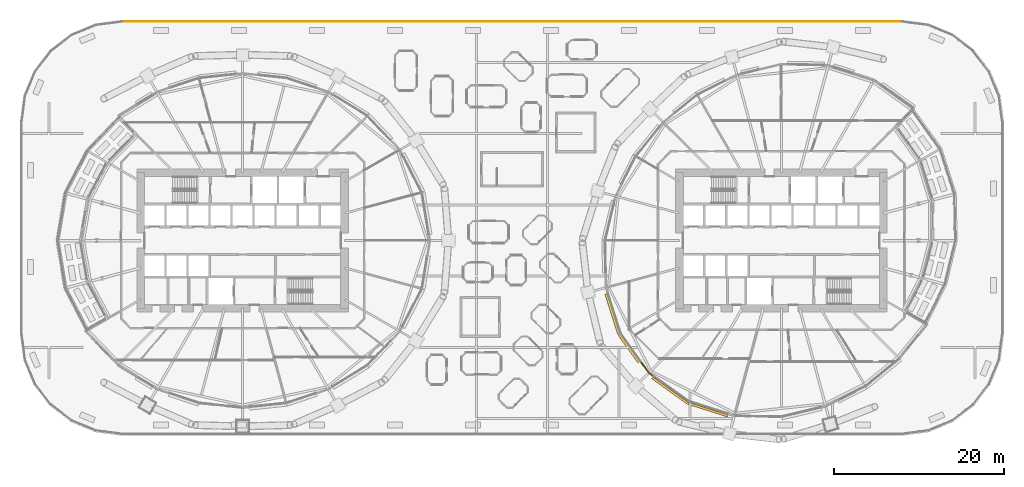
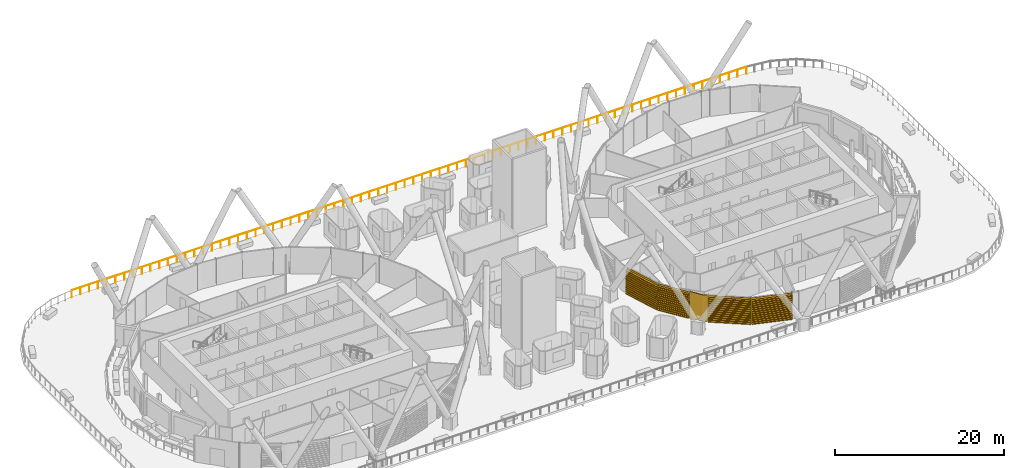
# One storey, part 41 of 47: 5 coverings, 1 railing.
"""IFC4 building model written with IfcOpenShell, lengths in metres."""

import ifcopenshell
import ifcopenshell.guid

model = None  # the IFC model being written
_history = None  # IfcOwnerHistory: only IFC2X3 demands one
_inside = {}  # id of a spatial element -> (the spatial element, [elements in it])
_under = {}  # id of a project, library or spatial element -> (it, [spatial elements below it])
_declared = {}  # id of a project -> (the project, [libraries it declares])
_typed = {}  # id of a type object -> (the type object, [elements of that type])
_made_of = {}  # id of a material, layer set ... -> (it, [elements and type objects made of it])


def new_model(schema):
    """Start an empty IFC model of exactly this schema.

    Asked for "IFC4X3", IfcOpenShell would pick the latest addendum, in which some entities
    have other attributes; the version numbers below select the first issue.
    IFC2X3 requires an IfcOwnerHistory on every rooted entity: one is made here for all.
    """
    global model, _history
    if schema == "IFC4X3":
        model = ifcopenshell.file(schema_version=(4, 3, 0, 0))
    else:
        model = ifcopenshell.file(schema=schema)
    _inside.clear()
    _under.clear()
    _declared.clear()
    _typed.clear()
    _made_of.clear()
    _history = None
    if model.schema == "IFC2X3":
        org = make("IfcOrganization", Name="unknown")
        user = make(
            "IfcPersonAndOrganization",
            ThePerson=make("IfcPerson", FamilyName="unknown"),
            TheOrganization=org,
        )
        app = make(
            "IfcApplication",
            ApplicationDeveloper=org,
            Version="unknown",
            ApplicationFullName="unknown",
            ApplicationIdentifier="unknown",
        )
        _history = make(
            "IfcOwnerHistory",
            OwningUser=user,
            OwningApplication=app,
            ChangeAction="ADDED",
            CreationDate=0,
        )
    return model


def make(cls, **values):
    """One entity of the class cls with the attributes given. An attribute that is None is left unset."""
    return model.create_entity(
        cls, **{name: value for name, value in values.items() if value is not None}
    )


def rooted(cls, **values):
    """An entity with a GlobalId (a new one), such as an element, a storey or a relation."""
    return make(cls, GlobalId=ifcopenshell.guid.new(), OwnerHistory=_history, **values)


def si_unit(unit_type, name, prefix=None):
    """IfcSIUnit, for example si_unit("LENGTHUNIT", "METRE", prefix="MILLI")."""
    return make("IfcSIUnit", UnitType=unit_type, Prefix=prefix, Name=name)


def assignment(units):
    """IfcUnitAssignment: the units of a project."""
    return None if units is None else make("IfcUnitAssignment", Units=units)


def point(xyz):
    """IfcCartesianPoint."""
    return None if xyz is None else make("IfcCartesianPoint", Coordinates=xyz)


def direction(xyz):
    """IfcDirection."""
    return None if xyz is None else make("IfcDirection", DirectionRatios=xyz)


def frame(location, z_axis=None, x_axis=None):
    """IfcAxis2Placement3D, a coordinate frame: its origin and axes. An axis left out is left unset."""
    return make(
        "IfcAxis2Placement3D",
        Location=point(location),
        Axis=direction(z_axis),
        RefDirection=direction(x_axis),
    )


def frame_2d(location, x_axis=None):
    """IfcAxis2Placement2D, a coordinate frame in the plane: its origin and x axis."""
    return make(
        "IfcAxis2Placement2D", Location=point(location), RefDirection=direction(x_axis)
    )


def origin():
    """The frame at (0, 0, 0) with its axes left unset."""
    return frame((0.0, 0.0, 0.0))


def origin_2d():
    """The frame at (0, 0) in the plane with its x axis left unset."""
    return frame_2d((0.0, 0.0))


def place(relative_to, where):
    """IfcLocalPlacement: puts the frame where relative to a parent placement (None: the world)."""
    return make(
        "IfcLocalPlacement", PlacementRelTo=relative_to, RelativePlacement=where
    )


def context(
    kind, dimensions, precision=None, world=None, true_north=None, identifier=None
):
    """IfcGeometricRepresentationContext, for example the 3D "Model" context."""
    return make(
        "IfcGeometricRepresentationContext",
        ContextIdentifier=identifier,
        ContextType=kind,
        CoordinateSpaceDimension=dimensions,
        Precision=precision,
        WorldCoordinateSystem=world,
        TrueNorth=true_north,
    )


def subcontext(parent, identifier, kind, view, scale=None):
    """IfcGeometricRepresentationSubContext, for example "Body" below "Model"."""
    return make(
        "IfcGeometricRepresentationSubContext",
        ContextIdentifier=identifier,
        ContextType=kind,
        ParentContext=parent,
        TargetScale=scale,
        TargetView=view,
    )


def project(units=None, contexts=None):
    """IfcProject with its units and contexts."""
    return rooted(
        "IfcProject",
        Name="project",
        RepresentationContexts=contexts,
        UnitsInContext=assignment(units),
    )


def spatial(cls, under=None, at=None, **own):
    """A site, building, storey or space (cls), placed at a placement, below another one or the project."""
    s = rooted(cls, ObjectPlacement=at, **own)
    if under is not None:
        _under.setdefault(under.id(), (under, []))[1].append(s)
    return s


def polyline(points):
    """IfcPolyline through the points."""
    return make("IfcPolyline", Points=[point(p) for p in points])


def profile(cls, at=None, kind="AREA", **sizes):
    """A parametric profile (cls). Its sizes go by their IFC names, for example OverallWidth=200.0."""
    return make(cls, ProfileType=kind, Position=at, **sizes)


def circle(**sizes):
    """IfcCircleProfileDef."""
    return profile("IfcCircleProfileDef", **sizes)


def outline(outer, holes=None, kind="AREA"):
    """IfcArbitraryClosedProfileDef: a profile drawn as a closed curve; with holes, ...WithVoids."""
    if holes is None:
        return make("IfcArbitraryClosedProfileDef", ProfileType=kind, OuterCurve=outer)
    return make(
        "IfcArbitraryProfileDefWithVoids",
        ProfileType=kind,
        OuterCurve=outer,
        InnerCurves=holes,
    )


def extrude(swept, where, along, depth):
    """IfcExtrudedAreaSolid: the profile swept, set in the frame where, extruded along a direction by depth."""
    return make(
        "IfcExtrudedAreaSolid",
        SweptArea=swept,
        Position=where,
        ExtrudedDirection=direction(along),
        Depth=depth,
    )


def shape(context_of_items, identifier, shape_type, items):
    """IfcShapeRepresentation: the items that make up one representation, for example the "Body"."""
    return make(
        "IfcShapeRepresentation",
        ContextOfItems=context_of_items,
        RepresentationIdentifier=identifier,
        RepresentationType=shape_type,
        Items=items,
    )


def material(Name=None, Category=None):
    """IfcMaterial."""
    return make("IfcMaterial", Name=Name, Category=Category)


def layer(
    of_material, thickness, ventilated=None, Name=None, Category=None, Priority=None
):
    """IfcMaterialLayer: one layer of a wall or slab, of a material (None: an air gap)."""
    return make(
        "IfcMaterialLayer",
        Material=of_material,
        LayerThickness=thickness,
        IsVentilated=ventilated,
        Name=Name,
        Category=Category,
        Priority=Priority,
    )


def layer_set(layers, Name=None):
    """IfcMaterialLayerSet."""
    return make("IfcMaterialLayerSet", MaterialLayers=layers, LayerSetName=Name)


def material_profile(
    of_material, cross_section, Name=None, Category=None, Priority=None
):
    """IfcMaterialProfile: a cross section and its material."""
    return make(
        "IfcMaterialProfile",
        Name=Name,
        Material=of_material,
        Profile=cross_section,
        Priority=Priority,
        Category=Category,
    )


def profile_set(profiles, Name=None, composite=None):
    """IfcMaterialProfileSet."""
    return make(
        "IfcMaterialProfileSet",
        Name=Name,
        MaterialProfiles=profiles,
        CompositeProfile=composite,
    )


def made_of(thing, what):
    """Note that an element or type object is made of a material, layer set ...; save() writes the relation."""
    if what is not None:
        _made_of.setdefault(what.id(), (what, []))[1].append(thing)
    return thing


def type_object(cls, material=None, **own):
    """A type object (cls), such as IfcWallType, which elements share."""
    return made_of(rooted(cls, **own), material)


def element(
    cls,
    number,
    at=None,
    inside=None,
    cuts=None,
    type_object=None,
    material=None,
    context=None,
    identifier="Body",
    shape_type=None,
    held_by="IfcProductDefinitionShape",
    body=None,
    shapes=None,
    **own,
):
    """One element of the class cls, such as IfcWall. Its Tag is "e" and its number.

    at: its placement. inside: the storey or other place that contains it. cuts: it is an
    opening in that element (IfcRelVoidsElement). A single representation is given by context,
    identifier, shape_type and body (its items); several are given by shapes. held_by: the class
    of the entity that holds the representations. save() writes the other relations.
    """
    e = rooted(cls, Tag="e%d" % number, ObjectPlacement=at, **own)
    if body is not None:
        shapes = [shape(context, identifier, shape_type, body)]
    if shapes is not None:
        e.Representation = make(held_by, Representations=shapes)
    if inside is not None:
        _inside.setdefault(inside.id(), (inside, []))[1].append(e)
    if cuts is not None:
        rooted(
            "IfcRelVoidsElement", RelatingBuildingElement=cuts, RelatedOpeningElement=e
        )
    if type_object is not None:
        _typed.setdefault(type_object.id(), (type_object, []))[1].append(e)
    return made_of(e, material)


def aggregate(whole, parts):
    """IfcRelAggregates: a whole, such as a stair, and the parts it consists of."""
    return rooted("IfcRelAggregates", RelatingObject=whole, RelatedObjects=parts)


def save(model, path):
    """Write the relations noted so far, then the file.

    IfcRelAggregates (storeys below a building ...), IfcRelContainedInSpatialStructure (elements
    in a storey), IfcRelDefinesByType, IfcRelAssociatesMaterial and IfcRelDeclares: one each for
    every whole, place, type object, material and project.
    """
    for whole, parts in _under.values():
        aggregate(whole, parts)
    for where, things in _inside.values():
        rooted(
            "IfcRelContainedInSpatialStructure",
            RelatedElements=things,
            RelatingStructure=where,
        )
    for kind, things in _typed.values():
        rooted("IfcRelDefinesByType", RelatedObjects=things, RelatingType=kind)
    for what, things in _made_of.values():
        rooted("IfcRelAssociatesMaterial", RelatedObjects=things, RelatingMaterial=what)
    for by, libraries in _declared.values():
        rooted("IfcRelDeclares", RelatingContext=by, RelatedDefinitions=libraries)
    model.write(path)


model = new_model("IFC4")

# Units and contexts
model_context = context("Model", 3, precision=1e-05, world=origin(), true_north=direction((0.0, 1.0)))
body_context = subcontext(model_context, "Body", "Model", "MODEL_VIEW")
ifc_project = project(units=[si_unit("LENGTHUNIT", "METRE"), si_unit("AREAUNIT", "SQUARE_METRE"), si_unit("VOLUMEUNIT", "CUBIC_METRE"), si_unit("PLANEANGLEUNIT", "RADIAN"), si_unit("MASSUNIT", "GRAM", prefix="KILO")], contexts=[model_context])

# Site, building, storey
site_placement = place(None, origin())
site = spatial("IfcSite", under=ifc_project, at=site_placement, CompositionType="ELEMENT")
building_placement = place(site_placement, origin())
building = spatial("IfcBuilding", under=site, at=building_placement, Name="Rimbun Link Towers", CompositionType="ELEMENT")
storey_placement = place(building_placement, frame((0.0, 0.0, 30.0)))
storey = spatial("IfcBuildingStorey", under=building, at=storey_placement, Name="L06", CompositionType="ELEMENT", Elevation=30.0)

# Railing
ifc_material_1 = material(Name="Toughened laminated glass, stainless steel grade 316 posts and cap rail", Category="steel")
railing_type = type_object("IfcRailingType", Name="GUARD glass balustrade with stainless cap rail", PredefinedType="BALUSTRADE", material=ifc_material_1)
railing_placement = place(storey_placement, frame((45.98681640625, 25.800048828125, 0.0)))
element("IfcRailing", 1, at=railing_placement, inside=storey, type_object=railing_type, Name="GUARD glass balustrade", PredefinedType="BALUSTRADE", context=body_context, shape_type="SweptSolid", body=[
    extrude(circle(Radius=0.02392578125, at=origin_2d()), frame((0.0, 0.0, 1.076171875), z_axis=(-1.0, 0.0, 0.0), x_axis=(0.0, -1.0, 0.0)), (0.0, 0.0, 1.0), 91.9736328125),
    extrude(circle(Radius=0.02099609375, at=origin_2d()), origin(), (0.0, 0.0, 1.0), 1.052001953125),
    extrude(circle(Radius=0.02099609375, at=origin_2d()), frame((-1.194580078125, 0.0, 0.0)), (0.0, 0.0, 1.0), 1.052001953125),
    extrude(circle(Radius=0.02099609375, at=origin_2d()), frame((-2.388916015625, 0.0, 0.0)), (0.0, 0.0, 1.0), 1.052001953125),
    extrude(circle(Radius=0.02099609375, at=origin_2d()), frame((-3.58349609375, 0.0, 0.0)), (0.0, 0.0, 1.0), 1.052001953125),
    extrude(circle(Radius=0.02099609375, at=origin_2d()), frame((-4.77783203125, 0.0, 0.0)), (0.0, 0.0, 1.0), 1.052001953125),
    extrude(circle(Radius=0.02099609375, at=origin_2d()), frame((-5.972412109375, 0.0, 0.0)), (0.0, 0.0, 1.0), 1.052001953125),
    extrude(circle(Radius=0.02099609375, at=origin_2d()), frame((-7.166748046875, 0.0, 0.0)), (0.0, 0.0, 1.0), 1.052001953125),
    extrude(circle(Radius=0.02099609375, at=origin_2d()), frame((-8.361328125, 0.0, 0.0)), (0.0, 0.0, 1.0), 1.052001953125),
    extrude(circle(Radius=0.02099609375, at=origin_2d()), frame((-9.5556640625, 0.0, 0.0)), (0.0, 0.0, 1.0), 1.052001953125),
    extrude(circle(Radius=0.02099609375, at=origin_2d()), frame((-10.750244140625, 0.0, 0.0)), (0.0, 0.0, 1.0), 1.052001953125),
    extrude(circle(Radius=0.02099609375, at=origin_2d()), frame((-11.944580078125, 0.0, 0.0)), (0.0, 0.0, 1.0), 1.052001953125),
    extrude(circle(Radius=0.02099609375, at=origin_2d()), frame((-13.13916015625, 0.0, 0.0)), (0.0, 0.0, 1.0), 1.052001953125),
    extrude(circle(Radius=0.02099609375, at=origin_2d()), frame((-14.33349609375, 0.0, 0.0)), (0.0, 0.0, 1.0), 1.052001953125),
    extrude(circle(Radius=0.02099609375, at=origin_2d()), frame((-15.528076171875, 0.0, 0.0)), (0.0, 0.0, 1.0), 1.052001953125),
    extrude(circle(Radius=0.02099609375, at=origin_2d()), frame((-16.722412109375, 0.0, 0.0)), (0.0, 0.0, 1.0), 1.052001953125),
    extrude(circle(Radius=0.02099609375, at=origin_2d()), frame((-17.9169921875, 0.0, 0.0)), (0.0, 0.0, 1.0), 1.052001953125),
    extrude(circle(Radius=0.02099609375, at=origin_2d()), frame((-19.111328125, 0.0, 0.0)), (0.0, 0.0, 1.0), 1.052001953125),
    extrude(circle(Radius=0.02099609375, at=origin_2d()), frame((-20.305908203125, 0.0, 0.0)), (0.0, 0.0, 1.0), 1.052001953125),
    extrude(circle(Radius=0.02099609375, at=origin_2d()), frame((-21.500244140625, 0.0, 0.0)), (0.0, 0.0, 1.0), 1.052001953125),
    extrude(circle(Radius=0.02099609375, at=origin_2d()), frame((-22.69482421875, 0.0, 0.0)), (0.0, 0.0, 1.0), 1.052001953125),
    extrude(circle(Radius=0.02099609375, at=origin_2d()), frame((-23.88916015625, 0.0, 0.0)), (0.0, 0.0, 1.0), 1.052001953125),
    extrude(circle(Radius=0.02099609375, at=origin_2d()), frame((-25.083740234375, 0.0, 0.0)), (0.0, 0.0, 1.0), 1.052001953125),
    extrude(circle(Radius=0.02099609375, at=origin_2d()), frame((-26.278076171875, 0.0, 0.0)), (0.0, 0.0, 1.0), 1.052001953125),
    extrude(circle(Radius=0.02099609375, at=origin_2d()), frame((-27.47265625, 0.0, 0.0)), (0.0, 0.0, 1.0), 1.052001953125),
    extrude(circle(Radius=0.02099609375, at=origin_2d()), frame((-28.6669921875, 0.0, 0.0)), (0.0, 0.0, 1.0), 1.052001953125),
    extrude(circle(Radius=0.02099609375, at=origin_2d()), frame((-29.861572265625, 0.0, 0.0)), (0.0, 0.0, 1.0), 1.052001953125),
    extrude(circle(Radius=0.02099609375, at=origin_2d()), frame((-31.05615234375, 0.0, 0.0)), (0.0, 0.0, 1.0), 1.052001953125),
    extrude(circle(Radius=0.02099609375, at=origin_2d()), frame((-32.25048828125, 0.0, 0.0)), (0.0, 0.0, 1.0), 1.052001953125),
    extrude(circle(Radius=0.02099609375, at=origin_2d()), frame((-33.445068359375, 0.0, 0.0)), (0.0, 0.0, 1.0), 1.052001953125),
    extrude(circle(Radius=0.02099609375, at=origin_2d()), frame((-34.639404296875, 0.0, 0.0)), (0.0, 0.0, 1.0), 1.052001953125),
    extrude(circle(Radius=0.02099609375, at=origin_2d()), frame((-35.833984375, 0.0, 0.0)), (0.0, 0.0, 1.0), 1.052001953125),
    extrude(circle(Radius=0.02099609375, at=origin_2d()), frame((-37.0283203125, 0.0, 0.0)), (0.0, 0.0, 1.0), 1.052001953125),
    extrude(circle(Radius=0.02099609375, at=origin_2d()), frame((-38.222900390625, 0.0, 0.0)), (0.0, 0.0, 1.0), 1.052001953125),
    extrude(circle(Radius=0.02099609375, at=origin_2d()), frame((-39.417236328125, 0.0, 0.0)), (0.0, 0.0, 1.0), 1.052001953125),
    extrude(circle(Radius=0.02099609375, at=origin_2d()), frame((-40.61181640625, 0.0, 0.0)), (0.0, 0.0, 1.0), 1.052001953125),
    extrude(circle(Radius=0.02099609375, at=origin_2d()), frame((-41.80615234375, 0.0, 0.0)), (0.0, 0.0, 1.0), 1.052001953125),
    extrude(circle(Radius=0.02099609375, at=origin_2d()), frame((-43.000732421875, 0.0, 0.0)), (0.0, 0.0, 1.0), 1.052001953125),
    extrude(circle(Radius=0.02099609375, at=origin_2d()), frame((-44.195068359375, 0.0, 0.0)), (0.0, 0.0, 1.0), 1.052001953125),
    extrude(circle(Radius=0.02099609375, at=origin_2d()), frame((-45.3896484375, 0.0, 0.0)), (0.0, 0.0, 1.0), 1.052001953125),
    extrude(circle(Radius=0.02099609375, at=origin_2d()), frame((-46.583984375, 0.0, 0.0)), (0.0, 0.0, 1.0), 1.052001953125),
    extrude(circle(Radius=0.02099609375, at=origin_2d()), frame((-47.778564453125, 0.0, 0.0)), (0.0, 0.0, 1.0), 1.052001953125),
    extrude(circle(Radius=0.02099609375, at=origin_2d()), frame((-48.972900390625, 0.0, 0.0)), (0.0, 0.0, 1.0), 1.052001953125),
    extrude(circle(Radius=0.02099609375, at=origin_2d()), frame((-50.16748046875, 0.0, 0.0)), (0.0, 0.0, 1.0), 1.052001953125),
    extrude(circle(Radius=0.02099609375, at=origin_2d()), frame((-51.36181640625, 0.0, 0.0)), (0.0, 0.0, 1.0), 1.052001953125),
    extrude(circle(Radius=0.02099609375, at=origin_2d()), frame((-52.556396484375, 0.0, 0.0)), (0.0, 0.0, 1.0), 1.052001953125),
    extrude(circle(Radius=0.02099609375, at=origin_2d()), frame((-53.750732421875, 0.0, 0.0)), (0.0, 0.0, 1.0), 1.052001953125),
    extrude(circle(Radius=0.02099609375, at=origin_2d()), frame((-54.9453125, 0.0, 0.0)), (0.0, 0.0, 1.0), 1.052001953125),
    extrude(circle(Radius=0.02099609375, at=origin_2d()), frame((-56.1396484375, 0.0, 0.0)), (0.0, 0.0, 1.0), 1.052001953125),
    extrude(circle(Radius=0.02099609375, at=origin_2d()), frame((-57.334228515625, 0.0, 0.0)), (0.0, 0.0, 1.0), 1.052001953125),
    extrude(circle(Radius=0.02099609375, at=origin_2d()), frame((-58.528564453125, 0.0, 0.0)), (0.0, 0.0, 1.0), 1.052001953125),
    extrude(circle(Radius=0.02099609375, at=origin_2d()), frame((-59.72314453125, 0.0, 0.0)), (0.0, 0.0, 1.0), 1.052001953125),
    extrude(circle(Radius=0.02099609375, at=origin_2d()), frame((-60.91748046875, 0.0, 0.0)), (0.0, 0.0, 1.0), 1.052001953125),
    extrude(circle(Radius=0.02099609375, at=origin_2d()), frame((-62.112060546875, 0.0, 0.0)), (0.0, 0.0, 1.0), 1.052001953125),
    extrude(circle(Radius=0.02099609375, at=origin_2d()), frame((-63.306640625, 0.0, 0.0)), (0.0, 0.0, 1.0), 1.052001953125),
    extrude(circle(Radius=0.02099609375, at=origin_2d()), frame((-64.5009765625, 0.0, 0.0)), (0.0, 0.0, 1.0), 1.052001953125),
    extrude(circle(Radius=0.02099609375, at=origin_2d()), frame((-65.695556640625, 0.0, 0.0)), (0.0, 0.0, 1.0), 1.052001953125),
    extrude(circle(Radius=0.02099609375, at=origin_2d()), frame((-66.889892578125, 0.0, 0.0)), (0.0, 0.0, 1.0), 1.052001953125),
    extrude(circle(Radius=0.02099609375, at=origin_2d()), frame((-68.08447265625, 0.0, 0.0)), (0.0, 0.0, 1.0), 1.052001953125),
    extrude(circle(Radius=0.02099609375, at=origin_2d()), frame((-69.27880859375, 0.0, 0.0)), (0.0, 0.0, 1.0), 1.052001953125),
    extrude(circle(Radius=0.02099609375, at=origin_2d()), frame((-70.473388671875, 0.0, 0.0)), (0.0, 0.0, 1.0), 1.052001953125),
    extrude(circle(Radius=0.02099609375, at=origin_2d()), frame((-71.667724609375, 0.0, 0.0)), (0.0, 0.0, 1.0), 1.052001953125),
    extrude(circle(Radius=0.02099609375, at=origin_2d()), frame((-72.8623046875, 0.0, 0.0)), (0.0, 0.0, 1.0), 1.052001953125),
    extrude(circle(Radius=0.02099609375, at=origin_2d()), frame((-74.056640625, 0.0, 0.0)), (0.0, 0.0, 1.0), 1.052001953125),
    extrude(circle(Radius=0.02099609375, at=origin_2d()), frame((-75.251220703125, 0.0, 0.0)), (0.0, 0.0, 1.0), 1.052001953125),
    extrude(circle(Radius=0.02099609375, at=origin_2d()), frame((-76.445556640625, 0.0, 0.0)), (0.0, 0.0, 1.0), 1.052001953125),
    extrude(circle(Radius=0.02099609375, at=origin_2d()), frame((-77.64013671875, 0.0, 0.0)), (0.0, 0.0, 1.0), 1.052001953125),
    extrude(circle(Radius=0.02099609375, at=origin_2d()), frame((-78.83447265625, 0.0, 0.0)), (0.0, 0.0, 1.0), 1.052001953125),
    extrude(circle(Radius=0.02099609375, at=origin_2d()), frame((-80.029052734375, 0.0, 0.0)), (0.0, 0.0, 1.0), 1.052001953125),
    extrude(circle(Radius=0.02099609375, at=origin_2d()), frame((-81.223388671875, 0.0, 0.0)), (0.0, 0.0, 1.0), 1.052001953125),
    extrude(circle(Radius=0.02099609375, at=origin_2d()), frame((-82.41796875, 0.0, 0.0)), (0.0, 0.0, 1.0), 1.052001953125),
    extrude(circle(Radius=0.02099609375, at=origin_2d()), frame((-83.6123046875, 0.0, 0.0)), (0.0, 0.0, 1.0), 1.052001953125),
    extrude(circle(Radius=0.02099609375, at=origin_2d()), frame((-84.806884765625, 0.0, 0.0)), (0.0, 0.0, 1.0), 1.052001953125),
    extrude(circle(Radius=0.02099609375, at=origin_2d()), frame((-86.001220703125, 0.0, 0.0)), (0.0, 0.0, 1.0), 1.052001953125),
    extrude(circle(Radius=0.02099609375, at=origin_2d()), frame((-87.19580078125, 0.0, 0.0)), (0.0, 0.0, 1.0), 1.052001953125),
    extrude(circle(Radius=0.02099609375, at=origin_2d()), frame((-88.39013671875, 0.0, 0.0)), (0.0, 0.0, 1.0), 1.052001953125),
    extrude(circle(Radius=0.02099609375, at=origin_2d()), frame((-89.584716796875, 0.0, 0.0)), (0.0, 0.0, 1.0), 1.052001953125),
    extrude(circle(Radius=0.02099609375, at=origin_2d()), frame((-90.779052734375, 0.0, 0.0)), (0.0, 0.0, 1.0), 1.052001953125),
    extrude(circle(Radius=0.02099609375, at=origin_2d()), frame((-91.9736328125, 0.0, 0.0)), (0.0, 0.0, 1.0), 1.052001953125),
])

# Coverings
ifc_material_2 = material(Name="Terracotta", Category="masonry")
ifc_layer = layer(ifc_material_2, 0.1201171875)
ifc_layer_set = layer_set([ifc_layer], Name="LINK PIER terracotta cladding 120")
covering_type_1 = type_object("IfcCoveringType", Name="LINK PIER terracotta cladding 120", PredefinedType="CLADDING", material=ifc_layer_set)
covering_1_placement = place(storey_placement, origin())
element("IfcCovering", 2, at=covering_1_placement, inside=storey, type_object=covering_type_1, Name="LINK PIER cladding", PredefinedType="CLADDING", context=body_context, shape_type="SweptSolid", body=[
    extrude(outline(polyline([(16.6884765625, -15.9267578125), (16.184814453125, -15.565185546875), (15.211181640625, -14.20849609375), (15.113525390625, -14.2783203125), (16.0986328125, -15.6513671875), (16.618408203125, -16.024169921875), (16.6884765625, -15.9267578125)])), origin(), (0.0, 0.0, 1.0), 3.800048828125),
])
ifc_material_3 = material(Name="Terracotta", Category="masonry")
ifc_material_profile = material_profile(ifc_material_3, outline(polyline([(0.123046875, 0.0), (0.1630859375, 0.0), (0.1630859375, 0.10009765625), (0.423095703125, 0.10009765625), (0.423095703125, 0.219970703125), (0.1630859375, 0.219970703125), (0.1630859375, 0.39990234375), (0.423095703125, 0.39990234375), (0.423095703125, 0.52001953125), (0.1630859375, 0.52001953125), (0.1630859375, 0.699951171875), (0.423095703125, 0.699951171875), (0.423095703125, 0.820068359375), (0.1630859375, 0.820068359375), (0.1630859375, 1.0), (0.423095703125, 1.0), (0.423095703125, 1.1201171875), (0.1630859375, 1.1201171875), (0.1630859375, 1.300048828125), (0.423095703125, 1.300048828125), (0.423095703125, 1.419921875), (0.1630859375, 1.419921875), (0.1630859375, 1.60009765625), (0.423095703125, 1.60009765625), (0.423095703125, 1.719970703125), (0.1630859375, 1.719970703125), (0.1630859375, 1.89990234375), (0.423095703125, 1.89990234375), (0.423095703125, 2.02001953125), (0.1630859375, 2.02001953125), (0.1630859375, 2.199951171875), (0.423095703125, 2.199951171875), (0.423095703125, 2.320068359375), (0.1630859375, 2.320068359375), (0.1630859375, 2.5), (0.423095703125, 2.5), (0.423095703125, 2.6201171875), (0.1630859375, 2.6201171875), (0.1630859375, 2.800048828125), (0.423095703125, 2.800048828125), (0.423095703125, 2.919921875), (0.1630859375, 2.919921875), (0.1630859375, 3.10009765625), (0.423095703125, 3.10009765625), (0.423095703125, 3.219970703125), (0.1630859375, 3.219970703125), (0.1630859375, 3.39990234375), (0.423095703125, 3.39990234375), (0.423095703125, 3.52001953125), (0.1630859375, 3.52001953125), (0.1630859375, 3.800048828125), (0.123046875, 3.800048828125), (0.123046875, 0.0)])), Name="BAGUETTE 120X300")
ifc_profile_set = profile_set([ifc_material_profile], Name="Terracotta")
covering_type_2 = type_object("IfcCoveringType", Name="TERRACOTTA BAGUETTE 120X300 H3800", PredefinedType="CLADDING", material=ifc_profile_set)
covering_2_placement = place(storey_placement, frame((12.846923828125, -10.913818359375, 0.0), z_axis=(-0.303087744641, 0.952962653543, 0.0), x_axis=(-0.952962653543, -0.303087744641, 0.0)))
element("IfcCovering", 3, at=covering_2_placement, inside=storey, type_object=covering_type_2, Name="TERRACOTTA BAGUETTE", PredefinedType="CLADDING", context=body_context, shape_type="SweptSolid", body=[
    extrude(outline(polyline([(0.123046875, 0.0), (0.1630859375, 0.0), (0.1630859375, 0.10009765625), (0.423095703125, 0.10009765625), (0.423095703125, 0.219970703125), (0.1630859375, 0.219970703125), (0.1630859375, 0.39990234375), (0.423095703125, 0.39990234375), (0.423095703125, 0.52001953125), (0.1630859375, 0.52001953125), (0.1630859375, 0.699951171875), (0.423095703125, 0.699951171875), (0.423095703125, 0.820068359375), (0.1630859375, 0.820068359375), (0.1630859375, 1.0), (0.423095703125, 1.0), (0.423095703125, 1.1201171875), (0.1630859375, 1.1201171875), (0.1630859375, 1.300048828125), (0.423095703125, 1.300048828125), (0.423095703125, 1.419921875), (0.1630859375, 1.419921875), (0.1630859375, 1.60009765625), (0.423095703125, 1.60009765625), (0.423095703125, 1.719970703125), (0.1630859375, 1.719970703125), (0.1630859375, 1.89990234375), (0.423095703125, 1.89990234375), (0.423095703125, 2.02001953125), (0.1630859375, 2.02001953125), (0.1630859375, 2.199951171875), (0.423095703125, 2.199951171875), (0.423095703125, 2.320068359375), (0.1630859375, 2.320068359375), (0.1630859375, 2.5), (0.423095703125, 2.5), (0.423095703125, 2.6201171875), (0.1630859375, 2.6201171875), (0.1630859375, 2.800048828125), (0.423095703125, 2.800048828125), (0.423095703125, 2.919921875), (0.1630859375, 2.919921875), (0.1630859375, 3.10009765625), (0.423095703125, 3.10009765625), (0.423095703125, 3.219970703125), (0.1630859375, 3.219970703125), (0.1630859375, 3.39990234375), (0.423095703125, 3.39990234375), (0.423095703125, 3.52001953125), (0.1630859375, 3.52001953125), (0.1630859375, 3.800048828125), (0.123046875, 3.800048828125), (0.123046875, 0.0)])), origin(), (0.0, 0.0, 1.0), 4.95556640625),
])
covering_3_placement = place(storey_placement, frame((15.193603515625, -14.18408203125, 0.0), z_axis=(-0.58300972478, 0.812465175138, 0.0), x_axis=(-0.812465175138, -0.58300972478, 0.0)))
element("IfcCovering", 4, at=covering_3_placement, inside=storey, type_object=covering_type_2, Name="TERRACOTTA BAGUETTE", PredefinedType="CLADDING", context=body_context, shape_type="SweptSolid", body=[
    extrude(outline(polyline([(0.123046875, 0.0), (0.1630859375, 0.0), (0.1630859375, 0.10009765625), (0.423095703125, 0.10009765625), (0.423095703125, 0.219970703125), (0.1630859375, 0.219970703125), (0.1630859375, 0.39990234375), (0.423095703125, 0.39990234375), (0.423095703125, 0.52001953125), (0.1630859375, 0.52001953125), (0.1630859375, 0.699951171875), (0.423095703125, 0.699951171875), (0.423095703125, 0.820068359375), (0.1630859375, 0.820068359375), (0.1630859375, 1.0), (0.423095703125, 1.0), (0.423095703125, 1.1201171875), (0.1630859375, 1.1201171875), (0.1630859375, 1.300048828125), (0.423095703125, 1.300048828125), (0.423095703125, 1.419921875), (0.1630859375, 1.419921875), (0.1630859375, 1.60009765625), (0.423095703125, 1.60009765625), (0.423095703125, 1.719970703125), (0.1630859375, 1.719970703125), (0.1630859375, 1.89990234375), (0.423095703125, 1.89990234375), (0.423095703125, 2.02001953125), (0.1630859375, 2.02001953125), (0.1630859375, 2.199951171875), (0.423095703125, 2.199951171875), (0.423095703125, 2.320068359375), (0.1630859375, 2.320068359375), (0.1630859375, 2.5), (0.423095703125, 2.5), (0.423095703125, 2.6201171875), (0.1630859375, 2.6201171875), (0.1630859375, 2.800048828125), (0.423095703125, 2.800048828125), (0.423095703125, 2.919921875), (0.1630859375, 2.919921875), (0.1630859375, 3.10009765625), (0.423095703125, 3.10009765625), (0.423095703125, 3.219970703125), (0.1630859375, 3.219970703125), (0.1630859375, 3.39990234375), (0.423095703125, 3.39990234375), (0.423095703125, 3.52001953125), (0.1630859375, 3.52001953125), (0.1630859375, 3.800048828125), (0.123046875, 3.800048828125), (0.123046875, 0.0)])), origin(), (0.0, 0.0, 1.0), 4.025146484375),
])
covering_4_placement = place(storey_placement, frame((20.836181640625, -18.903076171875, 0.0), z_axis=(-0.812470385714, 0.583002463406, 0.0), x_axis=(-0.583002463406, -0.812470385714, 0.0)))
element("IfcCovering", 5, at=covering_4_placement, inside=storey, type_object=covering_type_2, Name="TERRACOTTA BAGUETTE", PredefinedType="CLADDING", context=body_context, shape_type="SweptSolid", body=[
    extrude(outline(polyline([(0.123046875, 0.0), (0.1630859375, 0.0), (0.1630859375, 0.10009765625), (0.423095703125, 0.10009765625), (0.423095703125, 0.219970703125), (0.1630859375, 0.219970703125), (0.1630859375, 0.39990234375), (0.423095703125, 0.39990234375), (0.423095703125, 0.52001953125), (0.1630859375, 0.52001953125), (0.1630859375, 0.699951171875), (0.423095703125, 0.699951171875), (0.423095703125, 0.820068359375), (0.1630859375, 0.820068359375), (0.1630859375, 1.0), (0.423095703125, 1.0), (0.423095703125, 1.1201171875), (0.1630859375, 1.1201171875), (0.1630859375, 1.300048828125), (0.423095703125, 1.300048828125), (0.423095703125, 1.419921875), (0.1630859375, 1.419921875), (0.1630859375, 1.60009765625), (0.423095703125, 1.60009765625), (0.423095703125, 1.719970703125), (0.1630859375, 1.719970703125), (0.1630859375, 1.89990234375), (0.423095703125, 1.89990234375), (0.423095703125, 2.02001953125), (0.1630859375, 2.02001953125), (0.1630859375, 2.199951171875), (0.423095703125, 2.199951171875), (0.423095703125, 2.320068359375), (0.1630859375, 2.320068359375), (0.1630859375, 2.5), (0.423095703125, 2.5), (0.423095703125, 2.6201171875), (0.1630859375, 2.6201171875), (0.1630859375, 2.800048828125), (0.423095703125, 2.800048828125), (0.423095703125, 2.919921875), (0.1630859375, 2.919921875), (0.1630859375, 3.10009765625), (0.423095703125, 3.10009765625), (0.423095703125, 3.219970703125), (0.1630859375, 3.219970703125), (0.1630859375, 3.39990234375), (0.423095703125, 3.39990234375), (0.423095703125, 3.52001953125), (0.1630859375, 3.52001953125), (0.1630859375, 3.800048828125), (0.123046875, 3.800048828125), (0.123046875, 0.0)])), origin(), (0.0, 0.0, 1.0), 5.074951171875),
])
covering_5_placement = place(storey_placement, frame((25.510986328125, -20.389892578125, 0.0), z_axis=(-0.952962375607, 0.303088618521, 0.0), x_axis=(-0.303088618521, -0.952962375607, 0.0)))
element("IfcCovering", 6, at=covering_5_placement, inside=storey, type_object=covering_type_2, Name="TERRACOTTA BAGUETTE", PredefinedType="CLADDING", context=body_context, shape_type="SweptSolid", body=[
    extrude(outline(polyline([(0.123046875, 0.0), (0.1630859375, 0.0), (0.1630859375, 0.10009765625), (0.423095703125, 0.10009765625), (0.423095703125, 0.219970703125), (0.1630859375, 0.219970703125), (0.1630859375, 0.39990234375), (0.423095703125, 0.39990234375), (0.423095703125, 0.52001953125), (0.1630859375, 0.52001953125), (0.1630859375, 0.699951171875), (0.423095703125, 0.699951171875), (0.423095703125, 0.820068359375), (0.1630859375, 0.820068359375), (0.1630859375, 1.0), (0.423095703125, 1.0), (0.423095703125, 1.1201171875), (0.1630859375, 1.1201171875), (0.1630859375, 1.300048828125), (0.423095703125, 1.300048828125), (0.423095703125, 1.419921875), (0.1630859375, 1.419921875), (0.1630859375, 1.60009765625), (0.423095703125, 1.60009765625), (0.423095703125, 1.719970703125), (0.1630859375, 1.719970703125), (0.1630859375, 1.89990234375), (0.423095703125, 1.89990234375), (0.423095703125, 2.02001953125), (0.1630859375, 2.02001953125), (0.1630859375, 2.199951171875), (0.423095703125, 2.199951171875), (0.423095703125, 2.320068359375), (0.1630859375, 2.320068359375), (0.1630859375, 2.5), (0.423095703125, 2.5), (0.423095703125, 2.6201171875), (0.1630859375, 2.6201171875), (0.1630859375, 2.800048828125), (0.423095703125, 2.800048828125), (0.423095703125, 2.919921875), (0.1630859375, 2.919921875), (0.1630859375, 3.10009765625), (0.423095703125, 3.10009765625), (0.423095703125, 3.219970703125), (0.1630859375, 3.219970703125), (0.1630859375, 3.39990234375), (0.423095703125, 3.39990234375), (0.423095703125, 3.52001953125), (0.1630859375, 3.52001953125), (0.1630859375, 3.800048828125), (0.123046875, 3.800048828125), (0.123046875, 0.0)])), origin(), (0.0, 0.0, 1.0), 4.905517578125),
])

save(model, "model.ifc")
